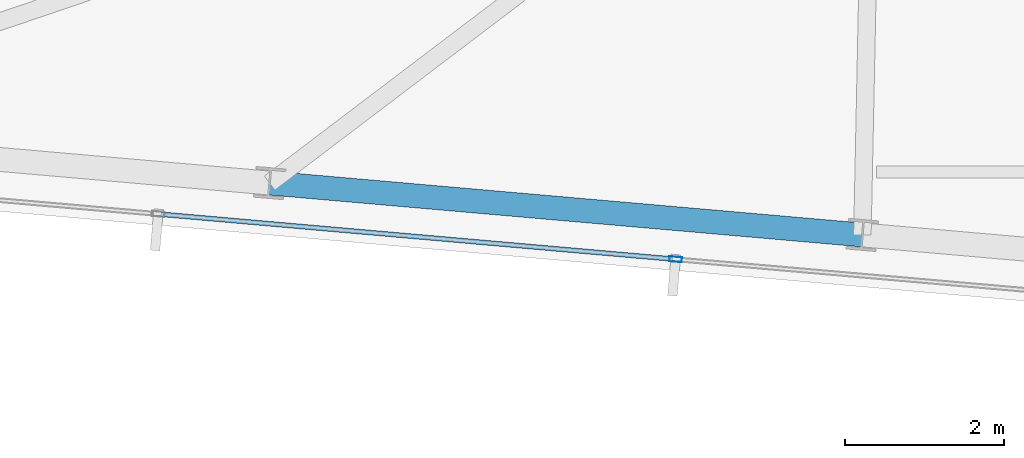
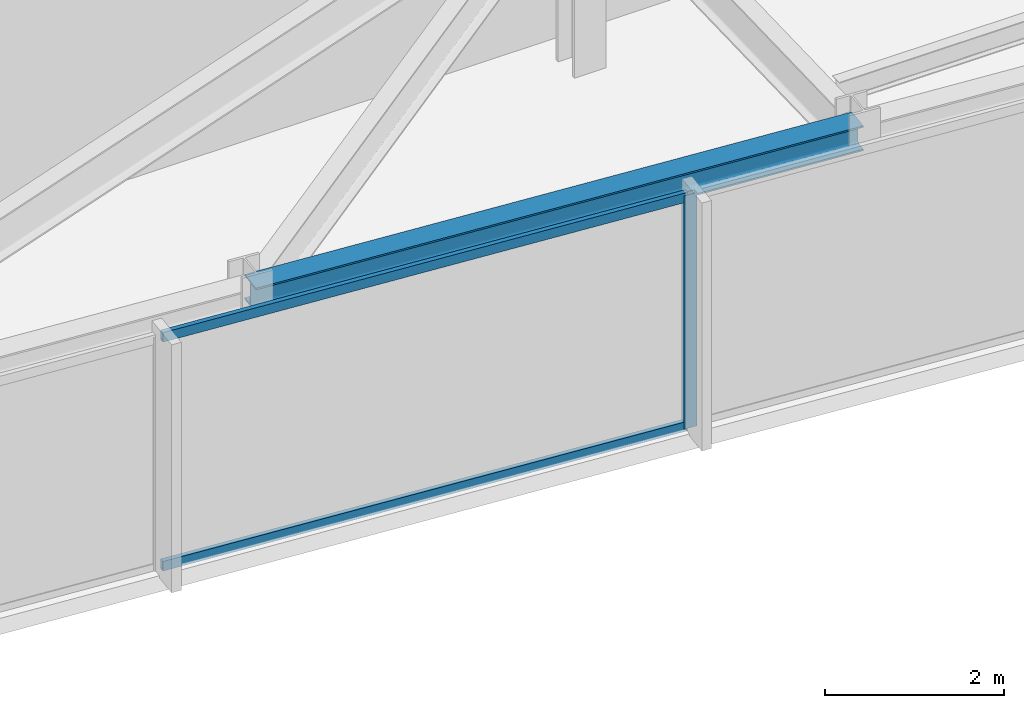
# One storey, part 3 of 32: 3 members, 1 beam, 1 element without a shape of its own.
"""IFC4 building model written with IfcOpenShell, lengths in metres."""

from ifc_helpers import new_model, si_unit, direction, frame, origin, origin_2d, place, context, subcontext, project, spatial, hollow_rectangle, i_section, extrude, material, material_profile, profile_set, type_object, element, aggregate, save


model = new_model("IFC4")

# Units and contexts
model_context = context("Model", 3, precision=1e-05, world=origin(), true_north=direction((0.0, 1.0)))
body_context = subcontext(model_context, "Body", "Model", "MODEL_VIEW")
ifc_project = project(units=[si_unit("LENGTHUNIT", "METRE"), si_unit("AREAUNIT", "SQUARE_METRE"), si_unit("VOLUMEUNIT", "CUBIC_METRE"), si_unit("PLANEANGLEUNIT", "RADIAN"), si_unit("MASSUNIT", "GRAM", prefix="KILO")], contexts=[model_context])

# Site, building, storey
site_placement = place(None, origin())
site = spatial("IfcSite", under=ifc_project, at=site_placement, CompositionType="ELEMENT")
building_placement = place(site_placement, origin())
building = spatial("IfcBuilding", under=site, at=building_placement, Name="Yelkora Congress Tower", CompositionType="ELEMENT")
storey_placement = place(building_placement, frame((0.0, 0.0, 262.5)))
storey = spatial("IfcBuildingStorey", under=building, at=storey_placement, Name="L73", CompositionType="ELEMENT", Elevation=262.5)

# Beam
ifc_material_1 = material(Name="Steel S355J2", Category="steel")
ifc_material_profile_1 = material_profile(ifc_material_1, i_section(OverallWidth=0.300048828125, OverallDepth=0.340087890625, WebThickness=0.011962890625, FlangeThickness=0.021484375, FilletRadius=0.027099609375, at=origin_2d()), Name="HEB 340")
ifc_profile_set_1 = profile_set([ifc_material_profile_1], Name="Steel S355J2")
beam_type = type_object("IfcBeamType", Name="BM-SPAN-HEB340", PredefinedType="SPANDREL", material=ifc_profile_set_1)
beam_placement = place(storey_placement, frame((15.452880859375, 19.445556640625, 3.010009765625), z_axis=(0.996193186297, -0.08717302092, 0.0), x_axis=(0.08717302092, 0.996193186297, 0.0)))
element("IfcBeam", 1, at=beam_placement, inside=storey, type_object=beam_type, Name="L73 Perimeter Beam 2", PredefinedType="SPANDREL", context=body_context, shape_type="SweptSolid", body=[
    extrude(i_section(OverallWidth=0.300048828125, OverallDepth=0.340087890625, WebThickness=0.011962890625, FlangeThickness=0.021484375, FilletRadius=0.027099609375, at=origin_2d()), origin(), (0.0, 0.0, 1.0), 7.4833984375),
])

# Curtain wall, members
ifc_material_2 = material(Name="Anodised aluminium and insulated glass", Category="aluminium")
curtain_wall_type = type_object("IfcCurtainWallType", Name="CW-SYS-B5", PredefinedType="NOTDEFINED", material=ifc_material_2)
curtain_wall_placement = place(storey_placement, origin())
curtain_wall = element("IfcCurtainWall", 2, at=curtain_wall_placement, inside=storey, type_object=curtain_wall_type, Name="L73 Unitised Curtain Wall 20", PredefinedType="NOTDEFINED")
ifc_material_3 = material(Name="Anodised aluminium 6063-T6", Category="aluminium")
ifc_material_profile_2 = material_profile(ifc_material_3, hollow_rectangle(XDim=0.06494140625, YDim=0.159912109375, WallThickness=0.00390625, at=origin_2d()), Name="ALU 65x160x4")
ifc_profile_set_2 = profile_set([ifc_material_profile_2], Name="Anodised aluminium 6063-T6")
member_type_1 = type_object("IfcMemberType", Name="MEM-ML-B5", PredefinedType="MULLION", material=ifc_profile_set_2)
member_1_placement = place(storey_placement, frame((20.558349609375, 18.487060546875, 0.0), z_axis=(0.0, 0.0, 1.0), x_axis=(-0.087156829793, -0.996194602987, 0.0)))
member_1 = element("IfcMember", 3, at=member_1_placement, type_object=member_type_1, Name="CW-B5 mullion 6", PredefinedType="MULLION", context=body_context, shape_type="SweptSolid", body=[
    extrude(hollow_rectangle(XDim=0.06494140625, YDim=0.159912109375, WallThickness=0.00390625, at=origin_2d()), origin(), (0.0, 0.0, 1.0), 3.179931640625),
])
ifc_material_profile_3 = material_profile(ifc_material_3, hollow_rectangle(XDim=0.06005859375, YDim=0.1298828125, WallThickness=0.00390625, at=origin_2d()), Name="ALU 60x130x4")
ifc_profile_set_3 = profile_set([ifc_material_profile_3], Name="Anodised aluminium 6063-T6")
member_type_2 = type_object("IfcMemberType", Name="MEM-TR-B5", PredefinedType="USERDEFINED", material=ifc_profile_set_3)
member_2_placement = place(storey_placement, frame((20.52587890625, 18.48974609375, 0.030029296875), z_axis=(-0.99619269288, 0.087178659385, 0.0), x_axis=(-0.087178659385, -0.99619269288, 0.0)))
member_2 = element("IfcMember", 4, at=member_2_placement, type_object=member_type_2, Name="CW-B5 transom 6.1", ObjectType="TRANSOM", PredefinedType="USERDEFINED", context=body_context, shape_type="SweptSolid", body=[
    extrude(hollow_rectangle(XDim=0.06005859375, YDim=0.1298828125, WallThickness=0.00390625, at=origin_2d()), origin(), (0.0, 0.0, 1.0), 6.46630859375),
])
member_3_placement = place(storey_placement, frame((20.52587890625, 18.48974609375, 3.14990234375), z_axis=(-0.99619269288, 0.087178659385, 0.0), x_axis=(-0.087178659385, -0.99619269288, 0.0)))
member_3 = element("IfcMember", 5, at=member_3_placement, type_object=member_type_2, Name="CW-B5 transom 6.2", ObjectType="TRANSOM", PredefinedType="USERDEFINED", context=body_context, shape_type="SweptSolid", body=[
    extrude(hollow_rectangle(XDim=0.06005859375, YDim=0.1298828125, WallThickness=0.00390625, at=origin_2d()), origin(), (0.0, 0.0, 1.0), 6.46630859375),
])
aggregate(curtain_wall, [member_1, member_2, member_3])

save(model, "model.ifc")
